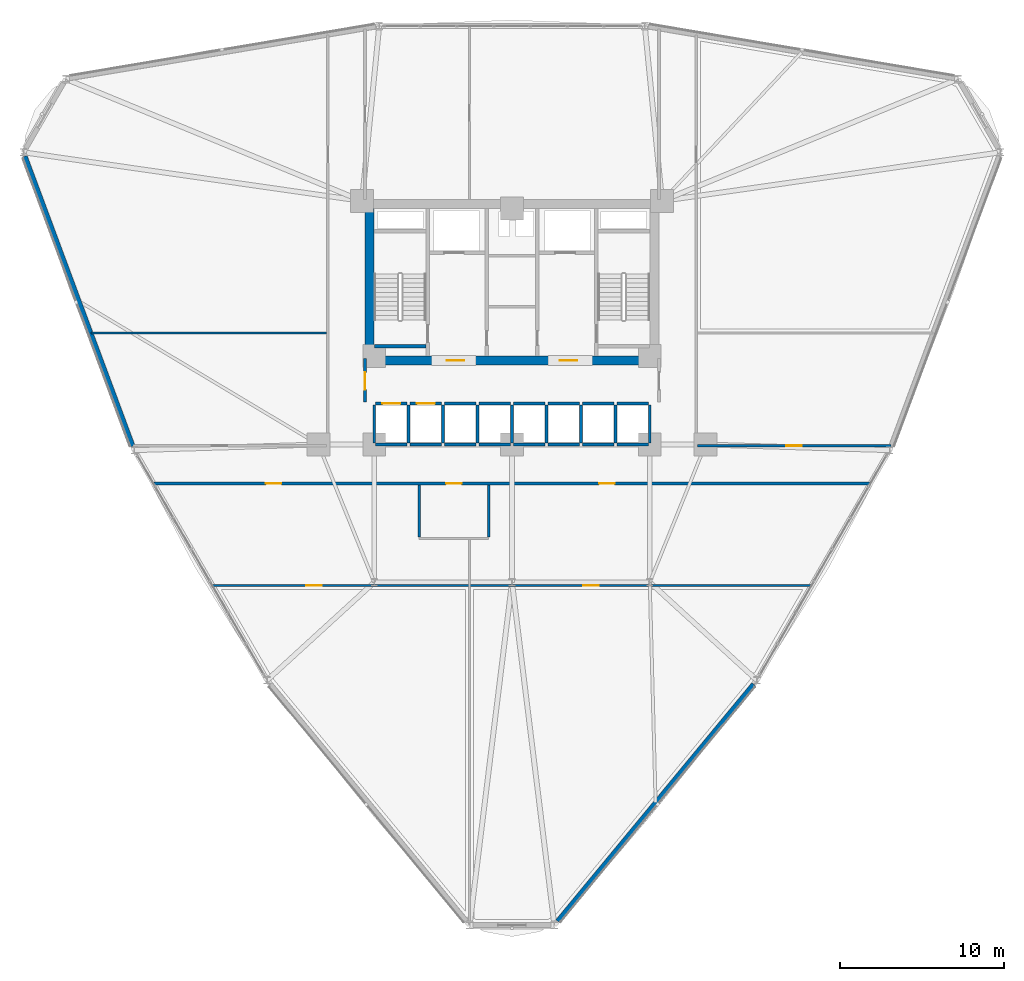
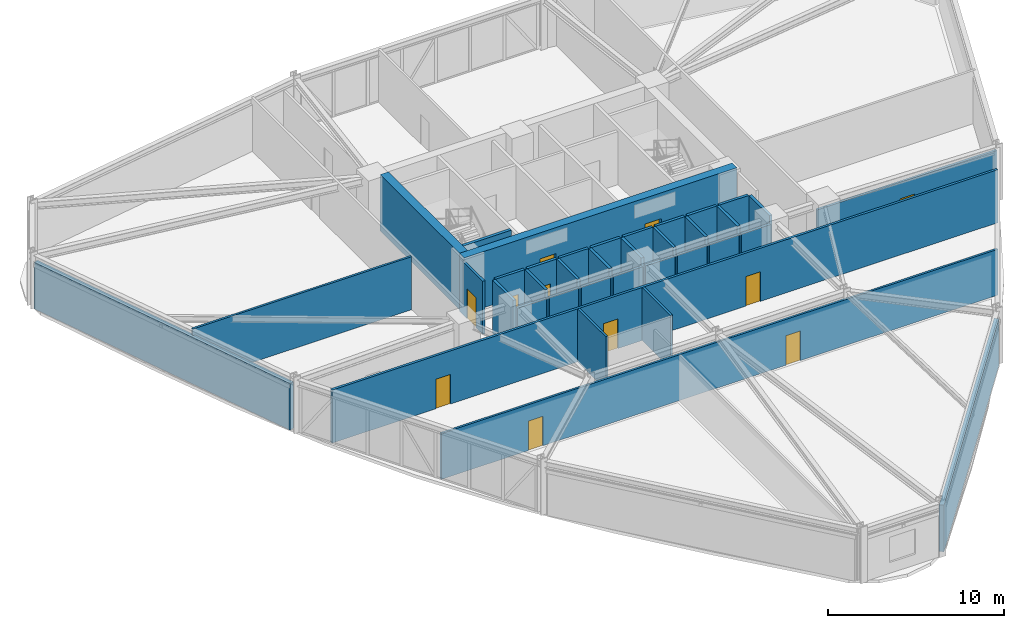
# One storey, part 15 of 21: 37 walls, 11 doors, 11 openings.
"""IFC4 building model written with IfcOpenShell, lengths in metres."""

from ifc_helpers import new_model, si_unit, derived_unit, direction, frame, frame_2d, origin, place, context, subcontext, project, spatial, rectangle, extrude, material, layer, layer_set, type_object, element, fill, save


model = new_model("IFC4")

# Units and contexts
model_context = context("Model", 3, precision=1e-05, world=origin(), true_north=direction((0.0, 1.0)))
body_context = subcontext(model_context, "Body", "Model", "MODEL_VIEW")
ifc_project = project(units=[si_unit("LENGTHUNIT", "METRE"), si_unit("AREAUNIT", "SQUARE_METRE"), si_unit("VOLUMEUNIT", "CUBIC_METRE"), si_unit("PLANEANGLEUNIT", "RADIAN"), si_unit("MASSUNIT", "GRAM", prefix="KILO"), derived_unit("THERMALTRANSMITTANCEUNIT", [(si_unit("POWERUNIT", "WATT"), 1), (si_unit("LENGTHUNIT", "METRE"), -2), (si_unit("THERMODYNAMICTEMPERATUREUNIT", "KELVIN"), -1)])], contexts=[model_context])

# Site, building, storey
site_placement = place(None, origin())
site = spatial("IfcSite", under=ifc_project, at=site_placement, CompositionType="ELEMENT")
building_placement = place(site_placement, origin())
building = spatial("IfcBuilding", under=site, at=building_placement, Name="Korsvarv Bourse and Concert Hall", CompositionType="ELEMENT")
storey_placement = place(building_placement, frame((0.0, 0.0, 27.89990234375)))
storey = spatial("IfcBuildingStorey", under=building, at=storey_placement, Name="L06", CompositionType="ELEMENT", Elevation=27.89990234375)

# Wall
ifc_material_1 = material(Name="Concrete C50/60", Category="concrete")
ifc_layer_1 = layer(ifc_material_1, 0.3798828125)
ifc_layer_set_1 = layer_set([ifc_layer_1], Name="Concrete C50/60")
wall_type_1 = type_object("IfcWallType", Name="WL-CORE-380", PredefinedType="SHEAR", material=ifc_layer_set_1)
wall_1_placement = place(storey_placement, frame((27.610107421875, 38.39990234375, 0.0), z_axis=(0.0, 0.0, 1.0), x_axis=(1.0, 0.0, 0.0)))
element("IfcWall", 1, at=wall_1_placement, inside=storey, type_object=wall_type_1, Name="L06 stair shaft structural wall W-L06-ST1-S", PredefinedType="SHEAR", context=body_context, shape_type="SweptSolid", body=[
    extrude(rectangle(XDim=3.139892578125, YDim=0.199951171875, at=frame_2d((1.56982421875, 0.0))), origin(), (0.0, 0.0, 1.0), 3.900146484375),
])

# Wall, openings, doors
ifc_material_2 = material(Name="Concrete C60/75", Category="concrete")
ifc_layer_2 = layer(ifc_material_2, 0.550048828125)
ifc_layer_set_2 = layer_set([ifc_layer_2], Name="Concrete C60/75")
wall_type_2 = type_object("IfcWallType", Name="WL-CORE-550", PredefinedType="SHEAR", material=ifc_layer_set_2)
wall_2_placement = place(storey_placement, frame((27.050048828125, 37.52490234375, 0.0), z_axis=(0.0, 0.0, 1.0), x_axis=(1.0, 0.0, 0.0)))
wall_2 = element("IfcWall", 2, at=wall_2_placement, inside=storey, type_object=wall_type_2, Name="L06 South Core Shear Wall", PredefinedType="SHEAR", context=body_context, shape_type="SweptSolid", body=[
    extrude(rectangle(XDim=17.89990234375, YDim=0.550048828125, at=frame_2d((8.949951171875, 0.0))), origin(), (0.0, 0.0, 1.0), 3.900146484375),
])
opening_1_placement = place(wall_2_placement, frame((4.97509765625, 0.0, 0.0)))
opening_1 = element("IfcOpeningElement", 3, at=opening_1_placement, cuts=wall_2, Name="Opening D-01", PredefinedType="OPENING", context=body_context, shape_type="SweptSolid", body=[
    extrude(rectangle(XDim=1.050048828125, YDim=2.10009765625, at=frame_2d((0.52490234375, 1.050048828125))), frame((0.0, 0.28515625, 0.0), z_axis=(0.0, -1.0, 0.0), x_axis=(1.0, 0.0, 0.0)), (0.0, 0.0, 1.0), 0.570068359375),
])
opening_2_placement = place(wall_2_placement, frame((11.875, 0.0, 0.0)))
opening_2 = element("IfcOpeningElement", 4, at=opening_2_placement, cuts=wall_2, Name="Opening D-01", PredefinedType="OPENING", context=body_context, shape_type="SweptSolid", body=[
    extrude(rectangle(XDim=1.050048828125, YDim=2.10009765625, at=frame_2d((0.52490234375, 1.050048828125))), frame((0.0, 0.28515625, 0.0), z_axis=(0.0, -1.0, 0.0), x_axis=(1.0, 0.0, 0.0)), (0.0, 0.0, 1.0), 0.570068359375),
])
ifc_material_3 = material(Name="Steel S355 fire door", Category="steel")
door_type_1 = type_object("IfcDoorType", Name="DR-FD60", OperationType="NOTDEFINED", PredefinedType="DOOR", material=ifc_material_3)
door_1_placement = place(opening_1_placement, frame((1.050048828125, 0.0, 0.0), z_axis=(0.0, 0.0, 1.0), x_axis=(-1.0, 0.0, 0.0)))
door_1 = element("IfcDoor", 5, at=door_1_placement, inside=storey, type_object=door_type_1, Name="L06 firefighting lobby fire door DR-L06-FFLW", OperationType="SINGLE_SWING_LEFT", OverallHeight=2.10009765625, OverallWidth=1.050048828125, PredefinedType="DOOR", context=body_context, shape_type="SweptSolid", body=[
    extrude(rectangle(XDim=1.050048828125, YDim=2.10009765625, at=frame_2d((0.52490234375, 1.050048828125))), frame((0.0, 0.02490234375, 0.0), z_axis=(0.0, -1.0, 0.0), x_axis=(1.0, 0.0, 0.0)), (0.0, 0.0, 1.0), 0.050048828125),
])
fill(opening_1, door_1)
door_2_placement = place(opening_2_placement, frame((1.050048828125, 0.0, 0.0), z_axis=(0.0, 0.0, 1.0), x_axis=(-1.0, 0.0, 0.0)))
door_2 = element("IfcDoor", 6, at=door_2_placement, inside=storey, type_object=door_type_1, Name="L06 firefighting lobby fire door DR-L06-FFLE", OperationType="SINGLE_SWING_RIGHT", OverallHeight=2.10009765625, OverallWidth=1.050048828125, PredefinedType="DOOR", context=body_context, shape_type="SweptSolid", body=[
    extrude(rectangle(XDim=1.050048828125, YDim=2.10009765625, at=frame_2d((0.52490234375, 1.050048828125))), frame((0.0, 0.02490234375, 0.0), z_axis=(0.0, -1.0, 0.0), x_axis=(1.0, 0.0, 0.0)), (0.0, 0.0, 1.0), 0.050048828125),
])
fill(opening_2, door_2)

# Walls
wall_3_placement = place(storey_placement, frame((27.324951171875, 37.800048828125, 0.0), z_axis=(0.0, 0.0, 1.0), x_axis=(0.0, 1.0, 0.0)))
element("IfcWall", 7, at=wall_3_placement, inside=storey, type_object=wall_type_2, Name="L06 West Core Shear Wall", PredefinedType="SHEAR", context=body_context, shape_type="SweptSolid", body=[
    extrude(rectangle(XDim=9.0, YDim=0.550048828125, at=frame_2d((4.5, 0.0))), origin(), (0.0, 0.0, 1.0), 3.900146484375),
])
ifc_material_4 = material(Name="Precast concrete C45/55 with fluted terracotta pier", Category="concrete")
ifc_layer_3 = layer(ifc_material_4, 0.280029296875)
ifc_layer_set_3 = layer_set([ifc_layer_3], Name="Precast concrete C45/55 with fluted terracotta pier")
wall_type_3 = type_object("IfcWallType", Name="WL-EXT-TC2", PredefinedType="SOLIDWALL", material=ifc_layer_set_3)
wall_4_placement = place(storey_placement, frame((6.301513671875, 49.97509765625, 0.0), z_axis=(0.0, 0.0, 1.0), x_axis=(0.348763587367, -0.937210734108, 0.0)))
element("IfcWall", 8, at=wall_4_placement, inside=storey, type_object=wall_type_3, Name="L06 terracotta exterior wall EW-L06-B06", PredefinedType="SOLIDWALL", context=body_context, shape_type="SweptSolid", body=[
    extrude(rectangle(XDim=18.86328125, YDim=0.280029296875, at=frame_2d((9.431640625, 0.0))), origin(), (0.0, 0.0, 1.0), 3.22998046875),
])
wall_5_placement = place(storey_placement, frame((38.781982421875, 3.335693359375, 0.0), z_axis=(0.0, 0.0, 1.0), x_axis=(0.637262575447, 0.770646747826, 0.0)))
element("IfcWall", 9, at=wall_5_placement, inside=storey, type_object=wall_type_3, Name="L06 terracotta exterior wall EW-L06-B10", PredefinedType="SOLIDWALL", context=body_context, shape_type="SweptSolid", body=[
    extrude(rectangle(XDim=18.751953125, YDim=0.280029296875, at=frame_2d((9.3759765625, 0.0))), origin(), (0.0, 0.0, 1.0), 3.22998046875),
])

# Wall, opening, door
ifc_material_5 = material(Name="Double-stud fire-rated acoustic partition", Category="gypsum")
ifc_layer_4 = layer(ifc_material_5, 0.159912109375)
ifc_layer_set_4 = layer_set([ifc_layer_4], Name="Double-stud fire-rated acoustic partition")
wall_type_4 = type_object("IfcWallType", Name="WL-INT-EI60", PredefinedType="PARTITIONING", material=ifc_layer_set_4)
wall_6_placement = place(storey_placement, frame((27.0400390625, 35.0, 0.0), z_axis=(0.0, 0.0, 1.0), x_axis=(0.0, 1.0, 0.0)))
wall_6 = element("IfcWall", 10, at=wall_6_placement, inside=storey, type_object=wall_type_4, Name="L06 interior partition wall W-L06-LOB-W", PredefinedType="PARTITIONING", context=body_context, shape_type="SweptSolid", body=[
    extrude(rectangle(XDim=2.64990234375, YDim=0.159912109375, at=frame_2d((1.324951171875, 0.0))), origin(), (0.0, 0.0, 1.0), 3.68017578125),
])
opening_3_placement = place(wall_6_placement, frame((0.75, 0.0, 0.0)))
opening_3 = element("IfcOpeningElement", 11, at=opening_3_placement, cuts=wall_6, Name="Opening D-01", PredefinedType="OPENING", context=body_context, shape_type="SweptSolid", body=[
    extrude(rectangle(XDim=1.050048828125, YDim=2.10009765625, at=frame_2d((0.52490234375, 1.050048828125))), frame((0.0, 0.08984375, 0.0), z_axis=(0.0, -1.0, 0.0), x_axis=(1.0, 0.0, 0.0)), (0.0, 0.0, 1.0), 0.179931640625),
])
door_3_placement = place(opening_3_placement, frame((1.050048828125, 0.0, 0.0), z_axis=(0.0, 0.0, 1.0), x_axis=(-1.0, 0.0, 0.0)))
door_3 = element("IfcDoor", 12, at=door_3_placement, inside=storey, type_object=door_type_1, Name="L06 interior door DR-L06-LOBW", OperationType="SINGLE_SWING_RIGHT", OverallHeight=2.10009765625, OverallWidth=1.050048828125, PredefinedType="DOOR", context=body_context, shape_type="SweptSolid", body=[
    extrude(rectangle(XDim=1.050048828125, YDim=2.10009765625, at=frame_2d((0.52490234375, 1.050048828125))), frame((0.0, 0.02490234375, 0.0), z_axis=(0.0, -1.0, 0.0), x_axis=(1.0, 0.0, 0.0)), (0.0, 0.0, 1.0), 0.050048828125),
])
fill(opening_3, door_3)

# Wall, openings, doors
wall_7_placement = place(storey_placement, frame((14.162109375, 30.02490234375, 0.0), z_axis=(0.0, 0.0, 1.0), x_axis=(1.0, 0.0, 0.0)))
wall_7 = element("IfcWall", 13, at=wall_7_placement, inside=storey, type_object=wall_type_4, Name="L06 interior partition wall W-L06-TCOR-01", PredefinedType="PARTITIONING", context=body_context, shape_type="SweptSolid", body=[
    extrude(rectangle(XDim=43.67578125, YDim=0.159912109375, at=frame_2d((21.837890625, 0.0))), origin(), (0.0, 0.0, 1.0), 3.68017578125),
])
opening_4_placement = place(wall_7_placement, frame((17.822998046875, 0.0, 0.0)))
opening_4 = element("IfcOpeningElement", 14, at=opening_4_placement, cuts=wall_7, Name="Opening D-02", PredefinedType="OPENING", context=body_context, shape_type="SweptSolid", body=[
    extrude(rectangle(XDim=0.949951171875, YDim=2.050048828125, at=frame_2d((0.47509765625, 1.02490234375))), frame((0.0, 0.08984375, 0.0), z_axis=(0.0, -1.0, 0.0), x_axis=(1.0, 0.0, 0.0)), (0.0, 0.0, 1.0), 0.179931640625),
])
opening_5_placement = place(wall_7_placement, frame((6.824462890625, 0.0, 0.0)))
opening_5 = element("IfcOpeningElement", 15, at=opening_5_placement, cuts=wall_7, Name="Opening D-02", PredefinedType="OPENING", context=body_context, shape_type="SweptSolid", body=[
    extrude(rectangle(XDim=0.949951171875, YDim=2.050048828125, at=frame_2d((0.47509765625, 1.02490234375))), frame((0.0, 0.08984375, 0.0), z_axis=(0.0, -1.0, 0.0), x_axis=(1.0, 0.0, 0.0)), (0.0, 0.0, 1.0), 0.179931640625),
])
opening_6_placement = place(wall_7_placement, frame((27.14599609375, 0.0, 0.0)))
opening_6 = element("IfcOpeningElement", 16, at=opening_6_placement, cuts=wall_7, Name="Opening D-02", PredefinedType="OPENING", context=body_context, shape_type="SweptSolid", body=[
    extrude(rectangle(XDim=0.949951171875, YDim=2.050048828125, at=frame_2d((0.47509765625, 1.02490234375))), frame((0.0, 0.08984375, 0.0), z_axis=(0.0, -1.0, 0.0), x_axis=(1.0, 0.0, 0.0)), (0.0, 0.0, 1.0), 0.179931640625),
])
ifc_material_6 = material(Name="Timber and steel acoustic fire door", Category="wood")
door_type_2 = type_object("IfcDoorType", Name="DR-FD30", OperationType="NOTDEFINED", PredefinedType="DOOR", material=ifc_material_6)
door_4_placement = place(opening_4_placement, origin())
door_4 = element("IfcDoor", 17, at=door_4_placement, inside=storey, type_object=door_type_2, Name="L06 interior door DR-L06-TCOR-RWC", OperationType="SINGLE_SWING_RIGHT", OverallHeight=2.050048828125, OverallWidth=0.949951171875, PredefinedType="DOOR", context=body_context, shape_type="SweptSolid", body=[
    extrude(rectangle(XDim=0.949951171875, YDim=2.050048828125, at=frame_2d((0.47509765625, 1.02490234375))), frame((0.0, 0.02490234375, 0.0), z_axis=(0.0, -1.0, 0.0), x_axis=(1.0, 0.0, 0.0)), (0.0, 0.0, 1.0), 0.050048828125),
])
fill(opening_4, door_4)
door_5_placement = place(opening_5_placement, origin())
door_5 = element("IfcDoor", 18, at=door_5_placement, inside=storey, type_object=door_type_2, Name="L06 interior door DR-L06-TCOR-EQ15", OperationType="SINGLE_SWING_LEFT", OverallHeight=2.050048828125, OverallWidth=0.949951171875, PredefinedType="DOOR", context=body_context, shape_type="SweptSolid", body=[
    extrude(rectangle(XDim=0.949951171875, YDim=2.050048828125, at=frame_2d((0.47509765625, 1.02490234375))), frame((0.0, 0.02490234375, 0.0), z_axis=(0.0, -1.0, 0.0), x_axis=(1.0, 0.0, 0.0)), (0.0, 0.0, 1.0), 0.050048828125),
])
fill(opening_5, door_5)
door_6_placement = place(opening_6_placement, origin())
door_6 = element("IfcDoor", 19, at=door_6_placement, inside=storey, type_object=door_type_2, Name="L06 interior door DR-L06-TCOR-EQ26", OperationType="SINGLE_SWING_RIGHT", OverallHeight=2.050048828125, OverallWidth=0.949951171875, PredefinedType="DOOR", context=body_context, shape_type="SweptSolid", body=[
    extrude(rectangle(XDim=0.949951171875, YDim=2.050048828125, at=frame_2d((0.47509765625, 1.02490234375))), frame((0.0, 0.02490234375, 0.0), z_axis=(0.0, -1.0, 0.0), x_axis=(1.0, 0.0, 0.0)), (0.0, 0.0, 1.0), 0.050048828125),
])
fill(opening_6, door_6)

# Wall, opening, door
wall_8_placement = place(storey_placement, frame((47.306884765625, 32.31494140625, 0.0), z_axis=(0.0, 0.0, 1.0), x_axis=(1.0, 0.0, 0.0)))
wall_8 = element("IfcWall", 20, at=wall_8_placement, inside=storey, type_object=wall_type_4, Name="L06 interior partition wall W-L06-TCOR-05", PredefinedType="PARTITIONING", context=body_context, shape_type="SweptSolid", body=[
    extrude(rectangle(XDim=11.7998046875, YDim=0.159912109375, at=frame_2d((5.89990234375, 0.0))), origin(), (0.0, 0.0, 1.0), 3.18017578125),
])
opening_7_placement = place(wall_8_placement, frame((5.4248046875, 0.0, 0.0)))
opening_7 = element("IfcOpeningElement", 21, at=opening_7_placement, cuts=wall_8, Name="Opening D-02", PredefinedType="OPENING", context=body_context, shape_type="SweptSolid", body=[
    extrude(rectangle(XDim=0.949951171875, YDim=2.050048828125, at=frame_2d((0.47509765625, 1.02490234375))), frame((0.0, 0.08984375, 0.0), z_axis=(0.0, -1.0, 0.0), x_axis=(1.0, 0.0, 0.0)), (0.0, 0.0, 1.0), 0.179931640625),
])
door_7_placement = place(opening_7_placement, origin())
door_7 = element("IfcDoor", 22, at=door_7_placement, inside=storey, type_object=door_type_2, Name="L06 interior door DR-L06-TCOR-EQ71", OperationType="SINGLE_SWING_RIGHT", OverallHeight=2.050048828125, OverallWidth=0.949951171875, PredefinedType="DOOR", context=body_context, shape_type="SweptSolid", body=[
    extrude(rectangle(XDim=0.949951171875, YDim=2.050048828125, at=frame_2d((0.47509765625, 1.02490234375))), frame((0.0, 0.02490234375, 0.0), z_axis=(0.0, -1.0, 0.0), x_axis=(1.0, 0.0, 0.0)), (0.0, 0.0, 1.0), 0.050048828125),
])
fill(opening_7, door_7)

ifc_material_7 = material(Name="Gypsum-clad autoclaved concrete shaft wall C30/37", Category="concrete")
ifc_layer_5 = layer(ifc_material_7, 0.179931640625)
ifc_layer_set_5 = layer_set([ifc_layer_5], Name="Gypsum-clad autoclaved concrete shaft wall C30/37")
wall_type_5 = type_object("IfcWallType", Name="WL-INT-EI90", PredefinedType="PARTITIONING", material=ifc_layer_set_5)
wall_9_placement = place(storey_placement, frame((27.68994140625, 34.89990234375, 0.0), z_axis=(0.0, 0.0, 1.0), x_axis=(1.0, 0.0, 0.0)))
wall_9 = element("IfcWall", 23, at=wall_9_placement, inside=storey, type_object=wall_type_5, Name="L06 interior partition wall W-L06-SHFN-PL1", PredefinedType="PARTITIONING", context=body_context, shape_type="SweptSolid", body=[
    extrude(rectangle(XDim=1.920166015625, YDim=0.179931640625, at=frame_2d((0.9599609375, 0.0))), origin(), (0.0, 0.0, 1.0), 3.68017578125),
])
opening_8_placement = place(wall_9_placement, frame((0.409912109375, 0.0, 0.0)))
opening_8 = element("IfcOpeningElement", 24, at=opening_8_placement, cuts=wall_9, Name="Opening LD-2", PredefinedType="OPENING", context=body_context, shape_type="SweptSolid", body=[
    extrude(rectangle(XDim=1.10009765625, YDim=2.10009765625, at=frame_2d((0.550048828125, 1.050048828125))), frame((0.0, 0.10009765625, 0.0), z_axis=(0.0, -1.0, 0.0), x_axis=(1.0, 0.0, 0.0)), (0.0, 0.0, 1.0), 0.199951171875),
])
ifc_material_8 = material(Name="Brushed stainless Steel S355 lift landing door", Category="steel")
door_type_3 = type_object("IfcDoorType", Name="DR-LIFT-P", OperationType="DOUBLE_DOOR_SLIDING", PredefinedType="DOOR", material=ifc_material_8)
door_8_placement = place(opening_8_placement, origin())
door_8 = element("IfcDoor", 25, at=door_8_placement, inside=storey, type_object=door_type_3, Name="L06 lift sliding landing door LD-L06-PL1", OperationType="DOUBLE_DOOR_SLIDING", OverallHeight=2.10009765625, OverallWidth=1.10009765625, PredefinedType="DOOR", context=body_context, shape_type="SweptSolid", body=[
    extrude(rectangle(XDim=1.10009765625, YDim=2.10009765625, at=frame_2d((0.550048828125, 1.050048828125))), frame((0.0, 0.02490234375, 0.0), z_axis=(0.0, -1.0, 0.0), x_axis=(1.0, 0.0, 0.0)), (0.0, 0.0, 1.0), 0.050048828125),
])
fill(opening_8, door_8)

# Walls
wall_10_placement = place(storey_placement, frame((27.68994140625, 32.39990234375, 0.0), z_axis=(0.0, 0.0, 1.0), x_axis=(1.0, 0.0, 0.0)))
element("IfcWall", 26, at=wall_10_placement, inside=storey, type_object=wall_type_5, Name="L06 interior partition wall W-L06-SHFS-PL1", PredefinedType="PARTITIONING", context=body_context, shape_type="SweptSolid", body=[
    extrude(rectangle(XDim=1.920166015625, YDim=0.179931640625, at=frame_2d((0.9599609375, 0.0))), origin(), (0.0, 0.0, 1.0), 3.18017578125),
])
wall_11_placement = place(storey_placement, frame((27.60009765625, 32.489990234375, 0.0), z_axis=(0.0, 0.0, 1.0), x_axis=(0.0, 1.0, 0.0)))
element("IfcWall", 27, at=wall_11_placement, inside=storey, type_object=wall_type_5, Name="L06 interior partition wall W-L06-SHFW-PL1", PredefinedType="PARTITIONING", context=body_context, shape_type="SweptSolid", body=[
    extrude(rectangle(XDim=2.320068359375, YDim=0.179931640625, at=frame_2d((1.16015625, 0.0))), origin(), (0.0, 0.0, 1.0), 3.68017578125),
])

# Wall, opening, door
wall_12_placement = place(storey_placement, frame((29.7900390625, 34.89990234375, 0.0), z_axis=(0.0, 0.0, 1.0), x_axis=(1.0, 0.0, 0.0)))
wall_12 = element("IfcWall", 28, at=wall_12_placement, inside=storey, type_object=wall_type_5, Name="L06 interior partition wall W-L06-SHFN-PL2", PredefinedType="PARTITIONING", context=body_context, shape_type="SweptSolid", body=[
    extrude(rectangle(XDim=1.919921875, YDim=0.179931640625, at=frame_2d((0.9599609375, 0.0))), origin(), (0.0, 0.0, 1.0), 3.68017578125),
])
opening_9_placement = place(wall_12_placement, frame((0.409912109375, 0.0, 0.0)))
opening_9 = element("IfcOpeningElement", 29, at=opening_9_placement, cuts=wall_12, Name="Opening LD-2", PredefinedType="OPENING", context=body_context, shape_type="SweptSolid", body=[
    extrude(rectangle(XDim=1.10009765625, YDim=2.10009765625, at=frame_2d((0.550048828125, 1.050048828125))), frame((0.0, 0.10009765625, 0.0), z_axis=(0.0, -1.0, 0.0), x_axis=(1.0, 0.0, 0.0)), (0.0, 0.0, 1.0), 0.199951171875),
])
door_9_placement = place(opening_9_placement, origin())
door_9 = element("IfcDoor", 30, at=door_9_placement, inside=storey, type_object=door_type_3, Name="L06 lift sliding landing door LD-L06-PL2", OperationType="DOUBLE_DOOR_SLIDING", OverallHeight=2.10009765625, OverallWidth=1.10009765625, PredefinedType="DOOR", context=body_context, shape_type="SweptSolid", body=[
    extrude(rectangle(XDim=1.10009765625, YDim=2.10009765625, at=frame_2d((0.550048828125, 1.050048828125))), frame((0.0, 0.02490234375, 0.0), z_axis=(0.0, -1.0, 0.0), x_axis=(1.0, 0.0, 0.0)), (0.0, 0.0, 1.0), 0.050048828125),
])
fill(opening_9, door_9)

# Walls
wall_13_placement = place(storey_placement, frame((29.7900390625, 32.39990234375, 0.0), z_axis=(0.0, 0.0, 1.0), x_axis=(1.0, 0.0, 0.0)))
element("IfcWall", 31, at=wall_13_placement, inside=storey, type_object=wall_type_5, Name="L06 interior partition wall W-L06-SHFS-PL2", PredefinedType="PARTITIONING", context=body_context, shape_type="SweptSolid", body=[
    extrude(rectangle(XDim=1.919921875, YDim=0.179931640625, at=frame_2d((0.9599609375, 0.0))), origin(), (0.0, 0.0, 1.0), 3.18017578125),
])
wall_14_placement = place(storey_placement, frame((29.699951171875, 32.489990234375, 0.0), z_axis=(0.0, 0.0, 1.0), x_axis=(0.0, 1.0, 0.0)))
element("IfcWall", 32, at=wall_14_placement, inside=storey, type_object=wall_type_5, Name="L06 interior partition wall W-L06-SHFW-PL2", PredefinedType="PARTITIONING", context=body_context, shape_type="SweptSolid", body=[
    extrude(rectangle(XDim=2.320068359375, YDim=0.179931640625, at=frame_2d((1.16015625, 0.0))), origin(), (0.0, 0.0, 1.0), 3.68017578125),
])
wall_15_placement = place(storey_placement, frame((31.889892578125, 34.89990234375, 0.0), z_axis=(0.0, 0.0, 1.0), x_axis=(1.0, 0.0, 0.0)))
element("IfcWall", 33, at=wall_15_placement, inside=storey, type_object=wall_type_5, Name="L06 interior partition wall W-L06-SHFN-PM1", PredefinedType="PARTITIONING", context=body_context, shape_type="SweptSolid", body=[
    extrude(rectangle(XDim=1.920166015625, YDim=0.179931640625, at=frame_2d((0.9599609375, 0.0))), origin(), (0.0, 0.0, 1.0), 3.68017578125),
])
wall_16_placement = place(storey_placement, frame((31.889892578125, 32.39990234375, 0.0), z_axis=(0.0, 0.0, 1.0), x_axis=(1.0, 0.0, 0.0)))
element("IfcWall", 34, at=wall_16_placement, inside=storey, type_object=wall_type_5, Name="L06 interior partition wall W-L06-SHFS-PM1", PredefinedType="PARTITIONING", context=body_context, shape_type="SweptSolid", body=[
    extrude(rectangle(XDim=1.920166015625, YDim=0.179931640625, at=frame_2d((0.9599609375, 0.0))), origin(), (0.0, 0.0, 1.0), 3.18017578125),
])
wall_17_placement = place(storey_placement, frame((31.800048828125, 32.489990234375, 0.0), z_axis=(0.0, 0.0, 1.0), x_axis=(0.0, 1.0, 0.0)))
element("IfcWall", 35, at=wall_17_placement, inside=storey, type_object=wall_type_5, Name="L06 interior partition wall W-L06-SHFW-PM1", PredefinedType="PARTITIONING", context=body_context, shape_type="SweptSolid", body=[
    extrude(rectangle(XDim=2.320068359375, YDim=0.179931640625, at=frame_2d((1.16015625, 0.0))), origin(), (0.0, 0.0, 1.0), 3.68017578125),
])
wall_18_placement = place(storey_placement, frame((33.989990234375, 34.89990234375, 0.0), z_axis=(0.0, 0.0, 1.0), x_axis=(1.0, 0.0, 0.0)))
element("IfcWall", 36, at=wall_18_placement, inside=storey, type_object=wall_type_5, Name="L06 interior partition wall W-L06-SHFN-PM2", PredefinedType="PARTITIONING", context=body_context, shape_type="SweptSolid", body=[
    extrude(rectangle(XDim=1.919921875, YDim=0.179931640625, at=frame_2d((0.9599609375, 0.0))), origin(), (0.0, 0.0, 1.0), 3.68017578125),
])
wall_19_placement = place(storey_placement, frame((33.989990234375, 32.39990234375, 0.0), z_axis=(0.0, 0.0, 1.0), x_axis=(1.0, 0.0, 0.0)))
element("IfcWall", 37, at=wall_19_placement, inside=storey, type_object=wall_type_5, Name="L06 interior partition wall W-L06-SHFS-PM2", PredefinedType="PARTITIONING", context=body_context, shape_type="SweptSolid", body=[
    extrude(rectangle(XDim=1.919921875, YDim=0.179931640625, at=frame_2d((0.9599609375, 0.0))), origin(), (0.0, 0.0, 1.0), 3.18017578125),
])
wall_20_placement = place(storey_placement, frame((33.89990234375, 32.489990234375, 0.0), z_axis=(0.0, 0.0, 1.0), x_axis=(0.0, 1.0, 0.0)))
element("IfcWall", 38, at=wall_20_placement, inside=storey, type_object=wall_type_5, Name="L06 interior partition wall W-L06-SHFW-PM2", PredefinedType="PARTITIONING", context=body_context, shape_type="SweptSolid", body=[
    extrude(rectangle(XDim=2.320068359375, YDim=0.179931640625, at=frame_2d((1.16015625, 0.0))), origin(), (0.0, 0.0, 1.0), 3.68017578125),
])
wall_21_placement = place(storey_placement, frame((36.090087890625, 34.89990234375, 0.0), z_axis=(0.0, 0.0, 1.0), x_axis=(1.0, 0.0, 0.0)))
element("IfcWall", 39, at=wall_21_placement, inside=storey, type_object=wall_type_5, Name="L06 interior partition wall W-L06-SHFN-PH1", PredefinedType="PARTITIONING", context=body_context, shape_type="SweptSolid", body=[
    extrude(rectangle(XDim=1.919921875, YDim=0.179931640625, at=frame_2d((0.9599609375, 0.0))), origin(), (0.0, 0.0, 1.0), 3.68017578125),
])
wall_22_placement = place(storey_placement, frame((36.090087890625, 32.39990234375, 0.0), z_axis=(0.0, 0.0, 1.0), x_axis=(1.0, 0.0, 0.0)))
element("IfcWall", 40, at=wall_22_placement, inside=storey, type_object=wall_type_5, Name="L06 interior partition wall W-L06-SHFS-PH1", PredefinedType="PARTITIONING", context=body_context, shape_type="SweptSolid", body=[
    extrude(rectangle(XDim=1.919921875, YDim=0.179931640625, at=frame_2d((0.9599609375, 0.0))), origin(), (0.0, 0.0, 1.0), 3.18017578125),
])
wall_23_placement = place(storey_placement, frame((36.0, 32.489990234375, 0.0), z_axis=(0.0, 0.0, 1.0), x_axis=(0.0, 1.0, 0.0)))
element("IfcWall", 41, at=wall_23_placement, inside=storey, type_object=wall_type_5, Name="L06 interior partition wall W-L06-SHFW-PH1", PredefinedType="PARTITIONING", context=body_context, shape_type="SweptSolid", body=[
    extrude(rectangle(XDim=2.320068359375, YDim=0.179931640625, at=frame_2d((1.16015625, 0.0))), origin(), (0.0, 0.0, 1.0), 3.68017578125),
])
wall_24_placement = place(storey_placement, frame((38.18994140625, 34.89990234375, 0.0), z_axis=(0.0, 0.0, 1.0), x_axis=(1.0, 0.0, 0.0)))
element("IfcWall", 42, at=wall_24_placement, inside=storey, type_object=wall_type_5, Name="L06 interior partition wall W-L06-SHFN-PH2", PredefinedType="PARTITIONING", context=body_context, shape_type="SweptSolid", body=[
    extrude(rectangle(XDim=1.920166015625, YDim=0.179931640625, at=frame_2d((0.9599609375, 0.0))), origin(), (0.0, 0.0, 1.0), 3.68017578125),
])
wall_25_placement = place(storey_placement, frame((38.18994140625, 32.39990234375, 0.0), z_axis=(0.0, 0.0, 1.0), x_axis=(1.0, 0.0, 0.0)))
element("IfcWall", 43, at=wall_25_placement, inside=storey, type_object=wall_type_5, Name="L06 interior partition wall W-L06-SHFS-PH2", PredefinedType="PARTITIONING", context=body_context, shape_type="SweptSolid", body=[
    extrude(rectangle(XDim=1.920166015625, YDim=0.179931640625, at=frame_2d((0.9599609375, 0.0))), origin(), (0.0, 0.0, 1.0), 3.18017578125),
])
wall_26_placement = place(storey_placement, frame((38.10009765625, 32.489990234375, 0.0), z_axis=(0.0, 0.0, 1.0), x_axis=(0.0, 1.0, 0.0)))
element("IfcWall", 44, at=wall_26_placement, inside=storey, type_object=wall_type_5, Name="L06 interior partition wall W-L06-SHFW-PH2", PredefinedType="PARTITIONING", context=body_context, shape_type="SweptSolid", body=[
    extrude(rectangle(XDim=2.320068359375, YDim=0.179931640625, at=frame_2d((1.16015625, 0.0))), origin(), (0.0, 0.0, 1.0), 3.68017578125),
])
wall_27_placement = place(storey_placement, frame((40.2900390625, 34.89990234375, 0.0), z_axis=(0.0, 0.0, 1.0), x_axis=(1.0, 0.0, 0.0)))
element("IfcWall", 45, at=wall_27_placement, inside=storey, type_object=wall_type_5, Name="L06 interior partition wall W-L06-SHFN-PO1", PredefinedType="PARTITIONING", context=body_context, shape_type="SweptSolid", body=[
    extrude(rectangle(XDim=1.919921875, YDim=0.179931640625, at=frame_2d((0.9599609375, 0.0))), origin(), (0.0, 0.0, 1.0), 3.68017578125),
])
wall_28_placement = place(storey_placement, frame((40.2900390625, 32.39990234375, 0.0), z_axis=(0.0, 0.0, 1.0), x_axis=(1.0, 0.0, 0.0)))
element("IfcWall", 46, at=wall_28_placement, inside=storey, type_object=wall_type_5, Name="L06 interior partition wall W-L06-SHFS-PO1", PredefinedType="PARTITIONING", context=body_context, shape_type="SweptSolid", body=[
    extrude(rectangle(XDim=1.919921875, YDim=0.179931640625, at=frame_2d((0.9599609375, 0.0))), origin(), (0.0, 0.0, 1.0), 3.18017578125),
])
wall_29_placement = place(storey_placement, frame((40.199951171875, 32.489990234375, 0.0), z_axis=(0.0, 0.0, 1.0), x_axis=(0.0, 1.0, 0.0)))
element("IfcWall", 47, at=wall_29_placement, inside=storey, type_object=wall_type_5, Name="L06 interior partition wall W-L06-SHFW-PO1", PredefinedType="PARTITIONING", context=body_context, shape_type="SweptSolid", body=[
    extrude(rectangle(XDim=2.320068359375, YDim=0.179931640625, at=frame_2d((1.16015625, 0.0))), origin(), (0.0, 0.0, 1.0), 3.68017578125),
])
wall_30_placement = place(storey_placement, frame((42.389892578125, 34.89990234375, 0.0), z_axis=(0.0, 0.0, 1.0), x_axis=(1.0, 0.0, 0.0)))
element("IfcWall", 48, at=wall_30_placement, inside=storey, type_object=wall_type_5, Name="L06 interior partition wall W-L06-SHFN-PO2", PredefinedType="PARTITIONING", context=body_context, shape_type="SweptSolid", body=[
    extrude(rectangle(XDim=1.920166015625, YDim=0.179931640625, at=frame_2d((0.9599609375, 0.0))), origin(), (0.0, 0.0, 1.0), 3.68017578125),
])
wall_31_placement = place(storey_placement, frame((42.389892578125, 32.39990234375, 0.0), z_axis=(0.0, 0.0, 1.0), x_axis=(1.0, 0.0, 0.0)))
element("IfcWall", 49, at=wall_31_placement, inside=storey, type_object=wall_type_5, Name="L06 interior partition wall W-L06-SHFS-PO2", PredefinedType="PARTITIONING", context=body_context, shape_type="SweptSolid", body=[
    extrude(rectangle(XDim=1.920166015625, YDim=0.179931640625, at=frame_2d((0.9599609375, 0.0))), origin(), (0.0, 0.0, 1.0), 3.18017578125),
])
for number, where, z_axis, x_axis, name in (
    (50, (42.300048828125, 32.489990234375, 0.0), (0.0, 0.0, 1.0), (0.0, 1.0, 0.0), "L06 interior partition wall W-L06-SHFW-PO2"),
    (51, (44.39990234375, 32.489990234375, 0.0), (0.0, 0.0, 1.0), (0.0, 1.0, 0.0), "L06 interior partition wall W-L06-SHFE-END"),
):
    element("IfcWall", number, at=place(storey_placement, frame(where, z_axis=z_axis, x_axis=x_axis)), inside=storey, type_object=wall_type_5, Name=name, PredefinedType="PARTITIONING", context=body_context, shape_type="SweptSolid", body=[
        extrude(rectangle(XDim=2.320068359375, YDim=0.179931640625, at=frame_2d((1.16015625, 0.0))), origin(), (0.0, 0.0, 1.0), 3.68017578125),
    ])

# Wall, openings, doors
ifc_material_9 = material(Name="Insulated steel-stud office acoustic partition", Category="gypsum")
ifc_layer_6 = layer(ifc_material_9, 0.139892578125)
ifc_layer_set_6 = layer_set([ifc_layer_6], Name="Insulated steel-stud office acoustic partition")
wall_type_6 = type_object("IfcWallType", Name="WL-INT-P1", PredefinedType="PARTITIONING", material=ifc_layer_set_6)
wall_32_placement = place(storey_placement, frame((17.753173828125, 23.804931640625, 0.0), z_axis=(0.0, 0.0, 1.0), x_axis=(1.0, 0.0, 0.0)))
wall_32 = element("IfcWall", 52, at=wall_32_placement, inside=storey, type_object=wall_type_6, Name="L06 interior partition wall W-L06-TCOR-08", PredefinedType="PARTITIONING", context=body_context, shape_type="SweptSolid", body=[
    extrude(rectangle(XDim=36.49365234375, YDim=0.139892578125, at=frame_2d((18.246826171875, 0.0))), origin(), (0.0, 0.0, 1.0), 3.18017578125),
])
opening_10_placement = place(wall_32_placement, frame((5.70361328125, 0.0, 0.0)))
opening_10 = element("IfcOpeningElement", 53, at=opening_10_placement, cuts=wall_32, Name="Opening D-03", PredefinedType="OPENING", context=body_context, shape_type="SweptSolid", body=[
    extrude(rectangle(XDim=0.949951171875, YDim=2.050048828125, at=frame_2d((0.47509765625, 1.02490234375))), frame((0.0, 0.080078125, 0.0), z_axis=(0.0, -1.0, 0.0), x_axis=(1.0, 0.0, 0.0)), (0.0, 0.0, 1.0), 0.159912109375),
])
opening_11_placement = place(wall_32_placement, frame((22.593017578125, 0.0, 0.0)))
opening_11 = element("IfcOpeningElement", 54, at=opening_11_placement, cuts=wall_32, Name="Opening D-03", PredefinedType="OPENING", context=body_context, shape_type="SweptSolid", body=[
    extrude(rectangle(XDim=0.949951171875, YDim=2.050048828125, at=frame_2d((0.47509765625, 1.02490234375))), frame((0.0, 0.080078125, 0.0), z_axis=(0.0, -1.0, 0.0), x_axis=(1.0, 0.0, 0.0)), (0.0, 0.0, 1.0), 0.159912109375),
])
ifc_material_10 = material(Name="Nordic oak acoustic office door", Category="wood")
door_type_4 = type_object("IfcDoorType", Name="DR-INT-1", OperationType="NOTDEFINED", PredefinedType="DOOR", material=ifc_material_10)
door_10_placement = place(opening_10_placement, origin())
door_10 = element("IfcDoor", 55, at=door_10_placement, inside=storey, type_object=door_type_4, Name="L06 interior door DR-L06-TCOR-EQ33", OperationType="SINGLE_SWING_RIGHT", OverallHeight=2.050048828125, OverallWidth=0.949951171875, PredefinedType="DOOR", context=body_context, shape_type="SweptSolid", body=[
    extrude(rectangle(XDim=0.949951171875, YDim=2.050048828125, at=frame_2d((0.47509765625, 1.02490234375))), frame((0.0, 0.02490234375, 0.0), z_axis=(0.0, -1.0, 0.0), x_axis=(1.0, 0.0, 0.0)), (0.0, 0.0, 1.0), 0.050048828125),
])
fill(opening_10, door_10)
door_11_placement = place(opening_11_placement, origin())
door_11 = element("IfcDoor", 56, at=door_11_placement, inside=storey, type_object=door_type_4, Name="L06 interior door DR-L06-TCOR-EQ44", OperationType="SINGLE_SWING_LEFT", OverallHeight=2.050048828125, OverallWidth=0.949951171875, PredefinedType="DOOR", context=body_context, shape_type="SweptSolid", body=[
    extrude(rectangle(XDim=0.949951171875, YDim=2.050048828125, at=frame_2d((0.47509765625, 1.02490234375))), frame((0.0, 0.02490234375, 0.0), z_axis=(0.0, -1.0, 0.0), x_axis=(1.0, 0.0, 0.0)), (0.0, 0.0, 1.0), 0.050048828125),
])
fill(opening_11, door_11)

# Walls
wall_33_placement = place(storey_placement, frame((10.329345703125, 39.205078125, 0.0), z_axis=(0.0, 0.0, 1.0), x_axis=(1.0, 0.0, 0.0)))
element("IfcWall", 57, at=wall_33_placement, inside=storey, type_object=wall_type_6, Name="L06 interior partition wall W-L06-TCOR-10", PredefinedType="PARTITIONING", context=body_context, shape_type="SweptSolid", body=[
    extrude(rectangle(XDim=14.36376953125, YDim=0.139892578125, at=frame_2d((7.181884765625, 0.0))), origin(), (0.0, 0.0, 1.0), 3.68017578125),
])
for number, where, z_axis, x_axis, name in (
    (58, (30.344970703125, 26.7470703125, 0.0), (0.0, 0.0, 1.0), (0.0, 1.0, 0.0), "L06 interior partition wall W-L06-TCOR-14"),
    (59, (34.574951171875, 26.7470703125, 0.0), (0.0, 0.0, 1.0), (0.0, 1.0, 0.0), "L06 interior partition wall W-L06-TCOR-15"),
):
    element("IfcWall", number, at=place(storey_placement, frame(where, z_axis=z_axis, x_axis=x_axis)), inside=storey, type_object=wall_type_6, Name=name, PredefinedType="PARTITIONING", context=body_context, shape_type="SweptSolid", body=[
        extrude(rectangle(XDim=3.196044921875, YDim=0.139892578125, at=frame_2d((1.59814453125, 0.0))), origin(), (0.0, 0.0, 1.0), 3.68017578125),
    ])

save(model, "model.ifc")
